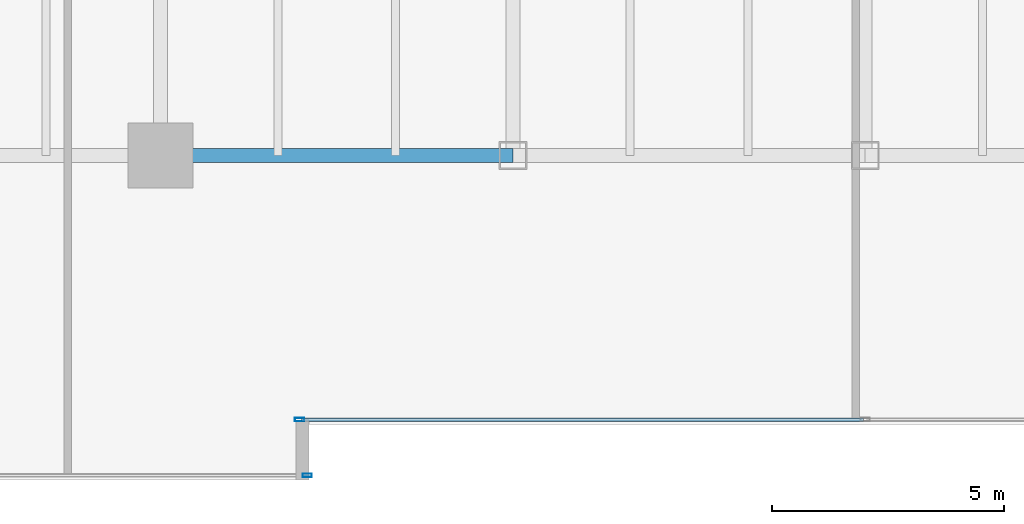
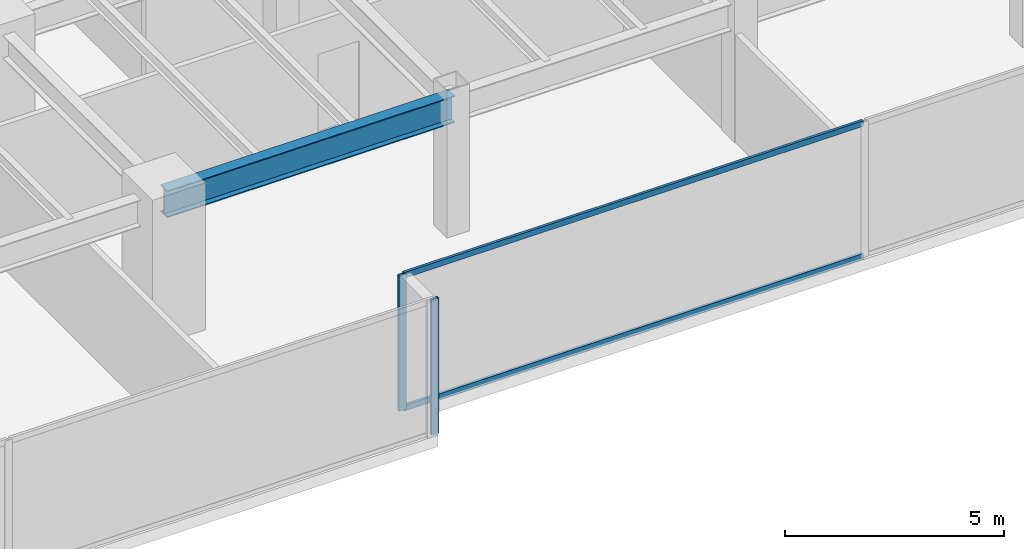
# One storey, part 4 of 35: 4 members, 1 beam, 2 elements without a shape of their own.
"""IFC4 building model written with IfcOpenShell, lengths in metres."""

from ifc_helpers import new_model, si_unit, direction, frame, origin, origin_2d, place, context, subcontext, project, spatial, hollow_rectangle, i_section, extrude, source, transform, mapped, material, layer, layer_set, material_profile, profile_set, type_object, type_shapes, element, aggregate, save


model = new_model("IFC4")

# Units and contexts
model_context = context("Model", 3, precision=1e-05, world=origin(), true_north=direction((0.0, 1.0)))
body_context = subcontext(model_context, "Body", "Model", "MODEL_VIEW")
ifc_project = project(units=[si_unit("LENGTHUNIT", "METRE"), si_unit("AREAUNIT", "SQUARE_METRE"), si_unit("VOLUMEUNIT", "CUBIC_METRE"), si_unit("PLANEANGLEUNIT", "RADIAN"), si_unit("MASSUNIT", "GRAM", prefix="KILO")], contexts=[model_context])

# Site, building, storey
site_placement = place(None, origin())
site = spatial("IfcSite", under=ifc_project, at=site_placement, CompositionType="ELEMENT")
building_placement = place(site_placement, origin())
building = spatial("IfcBuilding", under=site, at=building_placement, Name="Haelvirn Gate Laboratories", CompositionType="ELEMENT")
storey_placement = place(building_placement, frame((0.0, 0.0, 70.300048828125)))
storey = spatial("IfcBuildingStorey", under=building, at=storey_placement, Name="L17", CompositionType="ELEMENT", Elevation=70.300048828125)

# Beam
ifc_material_1 = material(Name="Steel SM355", Category="steel")
ifc_material_profile_1 = material_profile(ifc_material_1, i_section(OverallWidth=0.300048828125, OverallDepth=0.75, WebThickness=0.013916015625, FlangeThickness=0.02392578125, at=origin_2d()), Name="H-750x300x14x24")
ifc_profile_set_1 = profile_set([ifc_material_profile_1], Name="Steel SM355")
beam_type = type_object("IfcBeamType", Name="BM-G-750", PredefinedType="BEAM", material=ifc_profile_set_1)
shared_shape_1 = source(origin(), body_context, "Body", "SweptSolid", [
    extrude(i_section(OverallWidth=0.300048828125, OverallDepth=0.75, WebThickness=0.013916015625, FlangeThickness=0.02392578125, at=origin_2d()), origin(), (0.0, 0.0, 1.0), 7.60009765625),
])
type_shapes(beam_type, [shared_shape_1])
beam_placement = place(storey_placement, frame((22.199951171875, 7.0, 3.405029296875), z_axis=(1.0, 0.0, 0.0), x_axis=(0.0, 1.0, 0.0)))
element("IfcBeam", 1, at=beam_placement, inside=storey, type_object=beam_type, Name="L17 Primary Girder Y7.0 (22.2-29.8)", PredefinedType="BEAM", context=body_context, shape_type="MappedRepresentation", body=[
    mapped(shared_shape_1, transform((0.0, 0.0, 0.0), scale=1.0)),
])

# Curtain wall, member
ifc_material_2 = material(Name="Anodised bronze unitised aluminium & triple low-E glass", Category="aluminium")
ifc_layer = layer(ifc_material_2, 0.18408203125, Name="CW-SYS-2")
ifc_layer_set = layer_set([ifc_layer], Name="Anodised bronze unitised aluminium & triple low-E glass")
curtain_wall_type = type_object("IfcCurtainWallType", Name="CW-SYS-2", PredefinedType="NOTDEFINED", material=ifc_layer_set)
curtain_wall_1_placement = place(storey_placement, origin())
curtain_wall_1 = element("IfcCurtainWall", 2, at=curtain_wall_1_placement, inside=storey, type_object=curtain_wall_type, Name="L17 Unitised Curtain Wall CW-L17-P0-E00-1", PredefinedType="NOTDEFINED")
ifc_material_3 = material(Name="Extruded aluminium 6063-T6 (anodised bronze)", Category="aluminium")
ifc_material_profile_2 = material_profile(ifc_material_3, hollow_rectangle(XDim=0.074951171875, YDim=0.199951171875, WallThickness=0.0048828125, at=origin_2d()), Name="CWM-200x75x5")
ifc_profile_set_2 = profile_set([ifc_material_profile_2], Name="Extruded aluminium 6063-T6 (anodised bronze)")
member_type_1 = type_object("IfcMemberType", Name="CWM-T200", PredefinedType="MULLION", material=ifc_profile_set_2)
shared_shape_2 = source(origin(), body_context, "Body", "SweptSolid", [
    extrude(hollow_rectangle(XDim=0.074951171875, YDim=0.199951171875, WallThickness=0.0048828125, at=origin_2d()), origin(), (0.0, 0.0, 1.0), 3.780029296875),
])
type_shapes(member_type_1, [shared_shape_2])
member_1_placement = place(storey_placement, frame((25.362548828125, 0.10009765625, 0.0), z_axis=(0.0, 0.0, 1.0), x_axis=(0.0, 1.0, 0.0)))
member_1 = element("IfcMember", 3, at=member_1_placement, type_object=member_type_1, Name="CW2 mullion 3", PredefinedType="MULLION", context=body_context, shape_type="MappedRepresentation", body=[
    mapped(shared_shape_2, transform((0.0, 0.0, 0.0), scale=1.0)),
])
aggregate(curtain_wall_1, [member_1])

# Curtain wall, members
curtain_wall_2_placement = place(storey_placement, origin())
curtain_wall_2 = element("IfcCurtainWall", 4, at=curtain_wall_2_placement, inside=storey, type_object=curtain_wall_type, Name="L17 Unitised Curtain Wall CW-L17-P0-E02-1", PredefinedType="NOTDEFINED")
member_2_placement = place(storey_placement, frame((25.197509765625, 1.300048828125, 0.0), z_axis=(0.0, 0.0, 1.0), x_axis=(0.0, 1.0, 0.0)))
member_2 = element("IfcMember", 5, at=member_2_placement, type_object=member_type_1, Name="CW2 mullion 1", PredefinedType="MULLION", context=body_context, shape_type="MappedRepresentation", body=[
    mapped(shared_shape_2, transform((0.0, 0.0, 0.0), scale=1.0)),
])
ifc_material_profile_3 = material_profile(ifc_material_3, hollow_rectangle(XDim=0.070068359375, YDim=0.159912109375, WallThickness=0.0048828125, at=origin_2d()), Name="CWT-160x70x5")
ifc_profile_set_3 = profile_set([ifc_material_profile_3], Name="Extruded aluminium 6063-T6 (anodised bronze)")
member_type_2 = type_object("IfcMemberType", Name="CWT-T160", PredefinedType="USERDEFINED", material=ifc_profile_set_3)
shared_shape_3 = source(origin(), body_context, "Body", "SweptSolid", [
    extrude(hollow_rectangle(XDim=0.070068359375, YDim=0.159912109375, WallThickness=0.0048828125, at=origin_2d()), origin(), (0.0, 0.0, 1.0), 12.12744140625),
])
type_shapes(member_type_2, [shared_shape_3])
member_3_placement = place(storey_placement, frame((25.235107421875, 1.300048828125, 0.034912109375), z_axis=(1.0, 0.0, 0.0), x_axis=(0.0, 1.0, 0.0)))
member_3 = element("IfcMember", 6, at=member_3_placement, type_object=member_type_2, Name="CW2 transom 1.1", ObjectType="TRANSOM", PredefinedType="USERDEFINED", context=body_context, shape_type="MappedRepresentation", body=[
    mapped(shared_shape_3, transform((0.0, 0.0, 0.0), scale=1.0)),
])
member_4_placement = place(storey_placement, frame((25.235107421875, 1.300048828125, 3.744873046875), z_axis=(1.0, 0.0, 0.0), x_axis=(0.0, 1.0, 0.0)))
member_4 = element("IfcMember", 7, at=member_4_placement, type_object=member_type_2, Name="CW2 transom 1.2", ObjectType="TRANSOM", PredefinedType="USERDEFINED", context=body_context, shape_type="MappedRepresentation", body=[
    mapped(shared_shape_3, transform((0.0, 0.0, 0.0), scale=1.0)),
])
aggregate(curtain_wall_2, [member_2, member_3, member_4])

save(model, "model.ifc")
